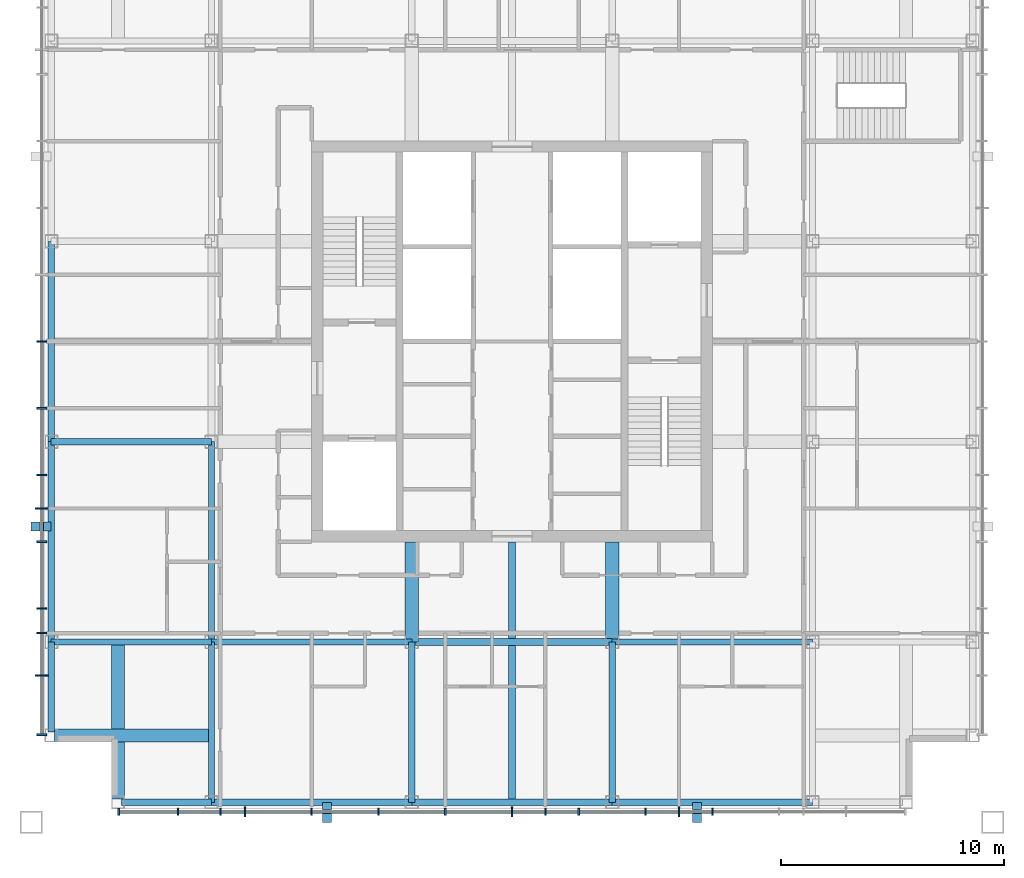
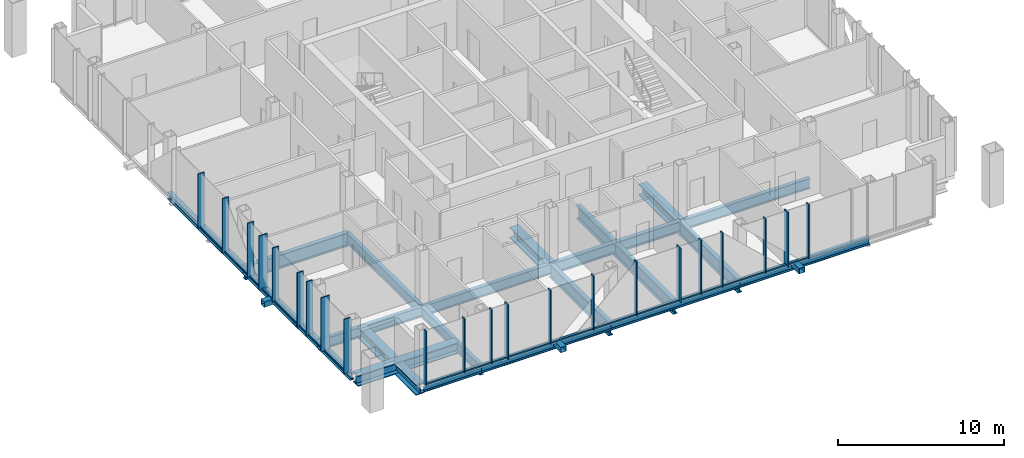
# One storey, part 2 of 12: 45 members, 21 beams, 2 elements without a shape of their own.
"""IFC4 building model written with IfcOpenShell, lengths in metres."""

from ifc_helpers import new_model, si_unit, direction, frame, origin, origin_2d, place, context, subcontext, project, spatial, rectangle, hollow_rectangle, i_section, extrude, material, layer, layer_set, material_profile, profile_set, type_object, element, aggregate, save


model = new_model("IFC4")

# Units and contexts
model_context = context("Model", 3, precision=1e-05, world=origin(), true_north=direction((0.0, 1.0)))
body_context = subcontext(model_context, "Body", "Model", "MODEL_VIEW")
ifc_project = project(units=[si_unit("LENGTHUNIT", "METRE"), si_unit("AREAUNIT", "SQUARE_METRE"), si_unit("VOLUMEUNIT", "CUBIC_METRE"), si_unit("PLANEANGLEUNIT", "RADIAN"), si_unit("MASSUNIT", "GRAM", prefix="KILO")], contexts=[model_context])

# Site, building, storey
site_placement = place(None, origin())
site = spatial("IfcSite", under=ifc_project, at=site_placement, CompositionType="ELEMENT")
building_placement = place(site_placement, origin())
building = spatial("IfcBuilding", under=site, at=building_placement, Name="Malebo Sky Hospital", CompositionType="ELEMENT")
storey_placement = place(building_placement, frame((0.0, 0.0, 262.0)))
storey = spatial("IfcBuildingStorey", under=building, at=storey_placement, Name="L63", CompositionType="ELEMENT", Elevation=262.0)

# Curtain wall, members
ifc_material_1 = material(Name="Anodised aluminium, natural silver", Category="aluminium")
ifc_layer_1 = layer(ifc_material_1, 0.25)
ifc_layer_set_1 = layer_set([ifc_layer_1], Name="WARD CURTAIN WALL EAST AND WEST")
curtain_wall_type_1 = type_object("IfcCurtainWallType", Name="WARD CURTAIN WALL EAST AND WEST", PredefinedType="NOTDEFINED", material=ifc_layer_set_1)
curtain_wall_1_placement = place(storey_placement, origin())
curtain_wall_1 = element("IfcCurtainWall", 1, at=curtain_wall_1_placement, inside=storey, type_object=curtain_wall_type_1, Name="EW curtain wall W", PredefinedType="NOTDEFINED")
ifc_material_profile_1 = material_profile(ifc_material_1, rectangle(XDim=0.14990234375, YDim=0.10009765625, at=origin_2d()), Name="ALUMINIUM TRANSOM 150x100")
ifc_profile_set_1 = profile_set([ifc_material_profile_1], Name="Anodised aluminium, natural silver")
member_type_1 = type_object("IfcMemberType", Name="ALUMINIUM TRANSOM 150x100", PredefinedType="USERDEFINED", material=ifc_profile_set_1)
member_1_placement = place(storey_placement, frame((38.875, 44.375, 0.050048828125), z_axis=(0.0, 1.0, 0.0), x_axis=(-1.0, 0.0, 0.0)))
member_1 = element("IfcMember", 2, at=member_1_placement, type_object=member_type_1, Name="Transom 1", ObjectType="TRANSOM", PredefinedType="USERDEFINED", context=body_context, shape_type="SweptSolid", body=[
    extrude(rectangle(XDim=0.14990234375, YDim=0.10009765625, at=origin_2d()), origin(), (0.0, 0.0, 1.0), 2.58740234375),
])
member_2_placement = place(storey_placement, frame((38.875, 47.03759765625, 0.050048828125), z_axis=(0.0, 1.0, 0.0), x_axis=(-1.0, 0.0, 0.0)))
member_2 = element("IfcMember", 3, at=member_2_placement, type_object=member_type_1, Name="Transom 2", ObjectType="TRANSOM", PredefinedType="USERDEFINED", context=body_context, shape_type="SweptSolid", body=[
    extrude(rectangle(XDim=0.14990234375, YDim=0.10009765625, at=origin_2d()), origin(), (0.0, 0.0, 1.0), 1.824951171875),
])
member_3_placement = place(storey_placement, frame((38.875, 48.9375, 0.050048828125), z_axis=(0.0, 1.0, 0.0), x_axis=(-1.0, 0.0, 0.0)))
member_3 = element("IfcMember", 4, at=member_3_placement, type_object=member_type_1, Name="Transom 3", ObjectType="TRANSOM", PredefinedType="USERDEFINED", context=body_context, shape_type="SweptSolid", body=[
    extrude(rectangle(XDim=0.14990234375, YDim=0.10009765625, at=origin_2d()), origin(), (0.0, 0.0, 1.0), 1.02490234375),
])
member_4_placement = place(storey_placement, frame((38.875, 50.03759765625, 0.050048828125), z_axis=(0.0, 1.0, 0.0), x_axis=(-1.0, 0.0, 0.0)))
member_4 = element("IfcMember", 5, at=member_4_placement, type_object=member_type_1, Name="Transom 4", ObjectType="TRANSOM", PredefinedType="USERDEFINED", context=body_context, shape_type="SweptSolid", body=[
    extrude(rectangle(XDim=0.14990234375, YDim=0.10009765625, at=origin_2d()), origin(), (0.0, 0.0, 1.0), 2.9248046875),
])
member_5_placement = place(storey_placement, frame((38.875, 53.03759765625, 0.050048828125), z_axis=(0.0, 1.0, 0.0), x_axis=(-1.0, 0.0, 0.0)))
member_5 = element("IfcMember", 6, at=member_5_placement, type_object=member_type_1, Name="Transom 5", ObjectType="TRANSOM", PredefinedType="USERDEFINED", context=body_context, shape_type="SweptSolid", body=[
    extrude(rectangle(XDim=0.14990234375, YDim=0.10009765625, at=origin_2d()), origin(), (0.0, 0.0, 1.0), 1.4248046875),
])
member_6_placement = place(storey_placement, frame((38.875, 54.53759765625, 0.050048828125), z_axis=(0.0, 1.0, 0.0), x_axis=(-1.0, 0.0, 0.0)))
member_6 = element("IfcMember", 7, at=member_6_placement, type_object=member_type_1, Name="Transom 6", ObjectType="TRANSOM", PredefinedType="USERDEFINED", context=body_context, shape_type="SweptSolid", body=[
    extrude(rectangle(XDim=0.14990234375, YDim=0.10009765625, at=origin_2d()), origin(), (0.0, 0.0, 1.0), 1.4248046875),
])
member_7_placement = place(storey_placement, frame((38.875, 56.03759765625, 0.050048828125), z_axis=(0.0, 1.0, 0.0), x_axis=(-1.0, 0.0, 0.0)))
member_7 = element("IfcMember", 8, at=member_7_placement, type_object=member_type_1, Name="Transom 7", ObjectType="TRANSOM", PredefinedType="USERDEFINED", context=body_context, shape_type="SweptSolid", body=[
    extrude(rectangle(XDim=0.14990234375, YDim=0.10009765625, at=origin_2d()), origin(), (0.0, 0.0, 1.0), 2.9248046875),
])
member_8_placement = place(storey_placement, frame((38.875, 59.03759765625, 0.050048828125), z_axis=(0.0, 1.0, 0.0), x_axis=(-1.0, 0.0, 0.0)))
member_8 = element("IfcMember", 9, at=member_8_placement, type_object=member_type_1, Name="Transom 8", ObjectType="TRANSOM", PredefinedType="USERDEFINED", context=body_context, shape_type="SweptSolid", body=[
    extrude(rectangle(XDim=0.14990234375, YDim=0.10009765625, at=origin_2d()), origin(), (0.0, 0.0, 1.0), 2.9248046875),
])

ifc_layer_2 = layer(ifc_material_1, 0.25)
ifc_layer_set_2 = layer_set([ifc_layer_2], Name="WARD CURTAIN WALL NORTH AND SOUTH")
curtain_wall_type_2 = type_object("IfcCurtainWallType", Name="WARD CURTAIN WALL NORTH AND SOUTH", PredefinedType="NOTDEFINED", material=ifc_layer_set_2)
curtain_wall_2_placement = place(storey_placement, origin())
curtain_wall_2 = element("IfcCurtainWall", 10, at=curtain_wall_2_placement, inside=storey, type_object=curtain_wall_type_2, Name="NS curtain wall S", PredefinedType="NOTDEFINED")
member_9_placement = place(storey_placement, frame((68.96240234375, 40.875, 0.050048828125), z_axis=(-1.0, 0.0, 0.0), x_axis=(0.0, -1.0, 0.0)))
member_9 = element("IfcMember", 11, at=member_9_placement, type_object=member_type_1, Name="Transom 5", ObjectType="TRANSOM", PredefinedType="USERDEFINED", context=body_context, shape_type="SweptSolid", body=[
    extrude(rectangle(XDim=0.14990234375, YDim=0.10009765625, at=origin_2d()), origin(), (0.0, 0.0, 1.0), 1.4248046875),
])
member_10_placement = place(storey_placement, frame((67.46240234375, 40.875, 0.050048828125), z_axis=(-1.0, 0.0, 0.0), x_axis=(0.0, -1.0, 0.0)))
member_10 = element("IfcMember", 12, at=member_10_placement, type_object=member_type_1, Name="Transom 6", ObjectType="TRANSOM", PredefinedType="USERDEFINED", context=body_context, shape_type="SweptSolid", body=[
    extrude(rectangle(XDim=0.14990234375, YDim=0.10009765625, at=origin_2d()), origin(), (0.0, 0.0, 1.0), 1.4248046875),
])
member_11_placement = place(storey_placement, frame((65.96240234375, 40.875, 0.050048828125), z_axis=(-1.0, 0.0, 0.0), x_axis=(0.0, -1.0, 0.0)))
member_11 = element("IfcMember", 13, at=member_11_placement, type_object=member_type_1, Name="Transom 7", ObjectType="TRANSOM", PredefinedType="USERDEFINED", context=body_context, shape_type="SweptSolid", body=[
    extrude(rectangle(XDim=0.14990234375, YDim=0.10009765625, at=origin_2d()), origin(), (0.0, 0.0, 1.0), 2.9248046875),
])
member_12_placement = place(storey_placement, frame((62.96240234375, 40.875, 0.050048828125), z_axis=(-1.0, 0.0, 0.0), x_axis=(0.0, -1.0, 0.0)))
member_12 = element("IfcMember", 14, at=member_12_placement, type_object=member_type_1, Name="Transom 8", ObjectType="TRANSOM", PredefinedType="USERDEFINED", context=body_context, shape_type="SweptSolid", body=[
    extrude(rectangle(XDim=0.14990234375, YDim=0.10009765625, at=origin_2d()), origin(), (0.0, 0.0, 1.0), 1.4248046875),
])
member_13_placement = place(storey_placement, frame((61.46240234375, 40.875, 0.050048828125), z_axis=(-1.0, 0.0, 0.0), x_axis=(0.0, -1.0, 0.0)))
member_13 = element("IfcMember", 15, at=member_13_placement, type_object=member_type_1, Name="Transom 9", ObjectType="TRANSOM", PredefinedType="USERDEFINED", context=body_context, shape_type="SweptSolid", body=[
    extrude(rectangle(XDim=0.14990234375, YDim=0.10009765625, at=origin_2d()), origin(), (0.0, 0.0, 1.0), 1.4248046875),
])
member_14_placement = place(storey_placement, frame((59.96240234375, 40.875, 0.050048828125), z_axis=(-1.0, 0.0, 0.0), x_axis=(0.0, -1.0, 0.0)))
member_14 = element("IfcMember", 16, at=member_14_placement, type_object=member_type_1, Name="Transom 10", ObjectType="TRANSOM", PredefinedType="USERDEFINED", context=body_context, shape_type="SweptSolid", body=[
    extrude(rectangle(XDim=0.14990234375, YDim=0.10009765625, at=origin_2d()), origin(), (0.0, 0.0, 1.0), 2.9248046875),
])
member_15_placement = place(storey_placement, frame((56.96240234375, 40.875, 0.050048828125), z_axis=(-1.0, 0.0, 0.0), x_axis=(0.0, -1.0, 0.0)))
member_15 = element("IfcMember", 17, at=member_15_placement, type_object=member_type_1, Name="Transom 11", ObjectType="TRANSOM", PredefinedType="USERDEFINED", context=body_context, shape_type="SweptSolid", body=[
    extrude(rectangle(XDim=0.14990234375, YDim=0.10009765625, at=origin_2d()), origin(), (0.0, 0.0, 1.0), 2.9248046875),
])
member_16_placement = place(storey_placement, frame((53.96240234375, 40.875, 0.050048828125), z_axis=(-1.0, 0.0, 0.0), x_axis=(0.0, -1.0, 0.0)))
member_16 = element("IfcMember", 18, at=member_16_placement, type_object=member_type_1, Name="Transom 12", ObjectType="TRANSOM", PredefinedType="USERDEFINED", context=body_context, shape_type="SweptSolid", body=[
    extrude(rectangle(XDim=0.14990234375, YDim=0.10009765625, at=origin_2d()), origin(), (0.0, 0.0, 1.0), 2.9248046875),
])
member_17_placement = place(storey_placement, frame((50.96240234375, 40.875, 0.050048828125), z_axis=(-1.0, 0.0, 0.0), x_axis=(0.0, -1.0, 0.0)))
member_17 = element("IfcMember", 19, at=member_17_placement, type_object=member_type_1, Name="Transom 13", ObjectType="TRANSOM", PredefinedType="USERDEFINED", context=body_context, shape_type="SweptSolid", body=[
    extrude(rectangle(XDim=0.14990234375, YDim=0.10009765625, at=origin_2d()), origin(), (0.0, 0.0, 1.0), 2.9248046875),
])
member_18_placement = place(storey_placement, frame((47.96240234375, 40.875, 0.050048828125), z_axis=(-1.0, 0.0, 0.0), x_axis=(0.0, -1.0, 0.0)))
member_18 = element("IfcMember", 20, at=member_18_placement, type_object=member_type_1, Name="Transom 14", ObjectType="TRANSOM", PredefinedType="USERDEFINED", context=body_context, shape_type="SweptSolid", body=[
    extrude(rectangle(XDim=0.14990234375, YDim=0.10009765625, at=origin_2d()), origin(), (0.0, 0.0, 1.0), 1.02490234375),
])
member_19_placement = place(storey_placement, frame((46.862548828125, 40.875, 0.050048828125), z_axis=(-1.0, 0.0, 0.0), x_axis=(0.0, -1.0, 0.0)))
member_19 = element("IfcMember", 21, at=member_19_placement, type_object=member_type_1, Name="Transom 15", ObjectType="TRANSOM", PredefinedType="USERDEFINED", context=body_context, shape_type="SweptSolid", body=[
    extrude(rectangle(XDim=0.14990234375, YDim=0.10009765625, at=origin_2d()), origin(), (0.0, 0.0, 1.0), 1.824951171875),
])
member_20_placement = place(storey_placement, frame((44.96240234375, 40.875, 0.050048828125), z_axis=(-1.0, 0.0, 0.0), x_axis=(0.0, -1.0, 0.0)))
member_20 = element("IfcMember", 22, at=member_20_placement, type_object=member_type_1, Name="Transom 16", ObjectType="TRANSOM", PredefinedType="USERDEFINED", context=body_context, shape_type="SweptSolid", body=[
    extrude(rectangle(XDim=0.14990234375, YDim=0.10009765625, at=origin_2d()), origin(), (0.0, 0.0, 1.0), 2.58740234375),
])

# Members
ifc_material_2 = material(Name="Steel S355", Category="steel")
ifc_material_profile_2 = material_profile(ifc_material_2, hollow_rectangle(XDim=0.39990234375, YDim=0.39990234375, WallThickness=0.02001953125, at=origin_2d()), Name="SHS 400x20")
ifc_profile_set_2 = profile_set([ifc_material_profile_2], Name="Steel S355")
member_type_2 = type_object("IfcMemberType", Name="BRACE STRUT SHS 400x20", PredefinedType="STRUT", material=ifc_profile_set_2)
for number, where, z_axis, x_axis, name in (
    (23, (51.696533203125, 40.39990234375, -0.39990234375), (0.0, 1.0, 0.0), (-1.0, 0.0, 0.0), "Brace strut DS1 L63"),
    (24, (68.303466796875, 40.39990234375, -0.39990234375), (0.0, 1.0, 0.0), (-1.0, 0.0, 0.0), "Brace strut DS2 L63"),
    (25, (38.39990234375, 53.696533203125, -0.39990234375), (1.0, 0.0, 0.0), (0.0, 1.0, 0.0), "Brace strut DW2 L63"),
):
    element("IfcMember", number, at=place(storey_placement, frame(where, z_axis=z_axis, x_axis=x_axis)), inside=storey, type_object=member_type_2, Name=name, PredefinedType="STRUT", context=body_context, shape_type="SweptSolid", body=[
        extrude(hollow_rectangle(XDim=0.39990234375, YDim=0.39990234375, WallThickness=0.02001953125, at=origin_2d()), origin(), (0.0, 0.0, 1.0), 0.900146484375),
    ])

# Member
ifc_material_profile_3 = material_profile(ifc_material_1, rectangle(XDim=0.074951171875, YDim=0.300048828125, at=origin_2d()), Name="CW1 ALUMINIUM FIN MULLION 75x300")
ifc_profile_set_3 = profile_set([ifc_material_profile_3], Name="Anodised aluminium, natural silver")
member_type_3 = type_object("IfcMemberType", Name="CW1 ALUMINIUM FIN MULLION 75x300", PredefinedType="MULLION", material=ifc_profile_set_3)
member_21_placement = place(storey_placement, frame((69.0, 40.875, 0.0), z_axis=(0.0, 0.0, 1.0), x_axis=(-1.0, 0.0, 0.0)))
member_21 = element("IfcMember", 26, at=member_21_placement, type_object=member_type_3, Name="Fin mullion 5", PredefinedType="MULLION", context=body_context, shape_type="SweptSolid", body=[
    extrude(rectangle(XDim=0.074951171875, YDim=0.300048828125, at=origin_2d()), origin(), (0.0, 0.0, 1.0), 4.0),
])

member_22_placement = place(storey_placement, frame((66.0, 40.875, 0.0), z_axis=(0.0, 0.0, 1.0), x_axis=(-1.0, 0.0, 0.0)))
member_22 = element("IfcMember", 27, at=member_22_placement, type_object=member_type_3, Name="Fin mullion 7", PredefinedType="MULLION", context=body_context, shape_type="SweptSolid", body=[
    extrude(rectangle(XDim=0.074951171875, YDim=0.300048828125, at=origin_2d()), origin(), (0.0, 0.0, 1.0), 4.0),
])

member_23_placement = place(storey_placement, frame((63.0, 40.875, 0.0), z_axis=(0.0, 0.0, 1.0), x_axis=(-1.0, 0.0, 0.0)))
member_23 = element("IfcMember", 28, at=member_23_placement, type_object=member_type_3, Name="Fin mullion 8", PredefinedType="MULLION", context=body_context, shape_type="SweptSolid", body=[
    extrude(rectangle(XDim=0.074951171875, YDim=0.300048828125, at=origin_2d()), origin(), (0.0, 0.0, 1.0), 4.0),
])

member_24_placement = place(storey_placement, frame((61.5, 40.875, 0.0), z_axis=(0.0, 0.0, 1.0), x_axis=(-1.0, 0.0, 0.0)))
member_24 = element("IfcMember", 29, at=member_24_placement, type_object=member_type_3, Name="Fin mullion 9", PredefinedType="MULLION", context=body_context, shape_type="SweptSolid", body=[
    extrude(rectangle(XDim=0.074951171875, YDim=0.300048828125, at=origin_2d()), origin(), (0.0, 0.0, 1.0), 4.0),
])

member_25_placement = place(storey_placement, frame((57.0, 40.875, 0.0), z_axis=(0.0, 0.0, 1.0), x_axis=(-1.0, 0.0, 0.0)))
member_25 = element("IfcMember", 30, at=member_25_placement, type_object=member_type_3, Name="Fin mullion 11", PredefinedType="MULLION", context=body_context, shape_type="SweptSolid", body=[
    extrude(rectangle(XDim=0.074951171875, YDim=0.300048828125, at=origin_2d()), origin(), (0.0, 0.0, 1.0), 4.0),
])

member_26_placement = place(storey_placement, frame((54.0, 40.875, 0.0), z_axis=(0.0, 0.0, 1.0), x_axis=(-1.0, 0.0, 0.0)))
member_26 = element("IfcMember", 31, at=member_26_placement, type_object=member_type_3, Name="Fin mullion 12", PredefinedType="MULLION", context=body_context, shape_type="SweptSolid", body=[
    extrude(rectangle(XDim=0.074951171875, YDim=0.300048828125, at=origin_2d()), origin(), (0.0, 0.0, 1.0), 4.0),
])

member_27_placement = place(storey_placement, frame((51.0, 40.875, 0.0), z_axis=(0.0, 0.0, 1.0), x_axis=(-1.0, 0.0, 0.0)))
member_27 = element("IfcMember", 32, at=member_27_placement, type_object=member_type_3, Name="Fin mullion 13", PredefinedType="MULLION", context=body_context, shape_type="SweptSolid", body=[
    extrude(rectangle(XDim=0.074951171875, YDim=0.300048828125, at=origin_2d()), origin(), (0.0, 0.0, 1.0), 4.0),
])

member_28_placement = place(storey_placement, frame((46.89990234375, 40.875, 0.0), z_axis=(0.0, 0.0, 1.0), x_axis=(-1.0, 0.0, 0.0)))
member_28 = element("IfcMember", 33, at=member_28_placement, type_object=member_type_3, Name="Fin mullion 15", PredefinedType="MULLION", context=body_context, shape_type="SweptSolid", body=[
    extrude(rectangle(XDim=0.074951171875, YDim=0.300048828125, at=origin_2d()), origin(), (0.0, 0.0, 1.0), 4.0),
])

member_29_placement = place(storey_placement, frame((45.0, 40.875, 0.0), z_axis=(0.0, 0.0, 1.0), x_axis=(-1.0, 0.0, 0.0)))
member_29 = element("IfcMember", 34, at=member_29_placement, type_object=member_type_3, Name="Fin mullion 16", PredefinedType="MULLION", context=body_context, shape_type="SweptSolid", body=[
    extrude(rectangle(XDim=0.074951171875, YDim=0.300048828125, at=origin_2d()), origin(), (0.0, 0.0, 1.0), 4.0),
])

member_30_placement = place(storey_placement, frame((42.33740234375, 40.875, 0.0), z_axis=(0.0, 0.0, 1.0), x_axis=(-1.0, 0.0, 0.0)))
member_30 = element("IfcMember", 35, at=member_30_placement, type_object=member_type_3, Name="Fin mullion 17", PredefinedType="MULLION", context=body_context, shape_type="SweptSolid", body=[
    extrude(rectangle(XDim=0.074951171875, YDim=0.300048828125, at=origin_2d()), origin(), (0.0, 0.0, 1.0), 4.0),
])

ifc_material_profile_4 = material_profile(ifc_material_1, rectangle(XDim=0.074951171875, YDim=0.449951171875, at=origin_2d()), Name="CW1 ALUMINIUM FIN MULLION 75x450")
ifc_profile_set_4 = profile_set([ifc_material_profile_4], Name="Anodised aluminium, natural silver")
member_type_4 = type_object("IfcMemberType", Name="CW1 ALUMINIUM FIN MULLION 75x450", PredefinedType="MULLION", material=ifc_profile_set_4)
member_31_placement = place(storey_placement, frame((67.5, 40.875, 0.0), z_axis=(0.0, 0.0, 1.0), x_axis=(-1.0, 0.0, 0.0)))
member_31 = element("IfcMember", 36, at=member_31_placement, type_object=member_type_4, Name="Fin mullion 6", PredefinedType="MULLION", context=body_context, shape_type="SweptSolid", body=[
    extrude(rectangle(XDim=0.074951171875, YDim=0.449951171875, at=origin_2d()), origin(), (0.0, 0.0, 1.0), 4.0),
])

member_32_placement = place(storey_placement, frame((60.0, 40.875, 0.0), z_axis=(0.0, 0.0, 1.0), x_axis=(-1.0, 0.0, 0.0)))
member_32 = element("IfcMember", 37, at=member_32_placement, type_object=member_type_4, Name="Fin mullion 10", PredefinedType="MULLION", context=body_context, shape_type="SweptSolid", body=[
    extrude(rectangle(XDim=0.074951171875, YDim=0.449951171875, at=origin_2d()), origin(), (0.0, 0.0, 1.0), 4.0),
])

member_33_placement = place(storey_placement, frame((48.0, 40.875, 0.0), z_axis=(0.0, 0.0, 1.0), x_axis=(-1.0, 0.0, 0.0)))
member_33 = element("IfcMember", 38, at=member_33_placement, type_object=member_type_4, Name="Fin mullion 14", PredefinedType="MULLION", context=body_context, shape_type="SweptSolid", body=[
    extrude(rectangle(XDim=0.074951171875, YDim=0.449951171875, at=origin_2d()), origin(), (0.0, 0.0, 1.0), 4.0),
])

aggregate(curtain_wall_2, [member_21, member_31, member_22, member_23, member_24, member_32, member_25, member_26, member_27, member_33, member_28, member_29, member_30, member_9, member_10, member_11, member_12, member_13, member_14, member_15, member_16, member_17, member_18, member_19, member_20])

ifc_material_profile_5 = material_profile(ifc_material_1, rectangle(XDim=0.074951171875, YDim=0.449951171875, at=origin_2d()), Name="CW2 ALUMINIUM FIN MULLION 75x450")
ifc_profile_set_5 = profile_set([ifc_material_profile_5], Name="Anodised aluminium, natural silver")
member_type_5 = type_object("IfcMemberType", Name="CW2 ALUMINIUM FIN MULLION 75x450", PredefinedType="MULLION", material=ifc_profile_set_5)
member_34_placement = place(storey_placement, frame((38.875, 44.33740234375, 0.0), z_axis=(0.0, 0.0, 1.0), x_axis=(0.0, 1.0, 0.0)))
member_34 = element("IfcMember", 39, at=member_34_placement, type_object=member_type_5, Name="Fin mullion 1", PredefinedType="MULLION", context=body_context, shape_type="SweptSolid", body=[
    extrude(rectangle(XDim=0.074951171875, YDim=0.449951171875, at=origin_2d()), origin(), (0.0, 0.0, 1.0), 4.0),
])

member_35_placement = place(storey_placement, frame((38.875, 48.89990234375, 0.0), z_axis=(0.0, 0.0, 1.0), x_axis=(0.0, 1.0, 0.0)))
member_35 = element("IfcMember", 40, at=member_35_placement, type_object=member_type_5, Name="Fin mullion 3", PredefinedType="MULLION", context=body_context, shape_type="SweptSolid", body=[
    extrude(rectangle(XDim=0.074951171875, YDim=0.449951171875, at=origin_2d()), origin(), (0.0, 0.0, 1.0), 4.0),
])

member_36_placement = place(storey_placement, frame((38.875, 50.0, 0.0), z_axis=(0.0, 0.0, 1.0), x_axis=(0.0, 1.0, 0.0)))
member_36 = element("IfcMember", 41, at=member_36_placement, type_object=member_type_5, Name="Fin mullion 4", PredefinedType="MULLION", context=body_context, shape_type="SweptSolid", body=[
    extrude(rectangle(XDim=0.074951171875, YDim=0.449951171875, at=origin_2d()), origin(), (0.0, 0.0, 1.0), 4.0),
])

member_37_placement = place(storey_placement, frame((38.875, 53.0, 0.0), z_axis=(0.0, 0.0, 1.0), x_axis=(0.0, 1.0, 0.0)))
member_37 = element("IfcMember", 42, at=member_37_placement, type_object=member_type_5, Name="Fin mullion 5", PredefinedType="MULLION", context=body_context, shape_type="SweptSolid", body=[
    extrude(rectangle(XDim=0.074951171875, YDim=0.449951171875, at=origin_2d()), origin(), (0.0, 0.0, 1.0), 4.0),
])

member_38_placement = place(storey_placement, frame((38.875, 56.0, 0.0), z_axis=(0.0, 0.0, 1.0), x_axis=(0.0, 1.0, 0.0)))
member_38 = element("IfcMember", 43, at=member_38_placement, type_object=member_type_5, Name="Fin mullion 7", PredefinedType="MULLION", context=body_context, shape_type="SweptSolid", body=[
    extrude(rectangle(XDim=0.074951171875, YDim=0.449951171875, at=origin_2d()), origin(), (0.0, 0.0, 1.0), 4.0),
])

member_39_placement = place(storey_placement, frame((38.875, 59.0, 0.0), z_axis=(0.0, 0.0, 1.0), x_axis=(0.0, 1.0, 0.0)))
member_39 = element("IfcMember", 44, at=member_39_placement, type_object=member_type_5, Name="Fin mullion 8", PredefinedType="MULLION", context=body_context, shape_type="SweptSolid", body=[
    extrude(rectangle(XDim=0.074951171875, YDim=0.449951171875, at=origin_2d()), origin(), (0.0, 0.0, 1.0), 4.0),
])

member_40_placement = place(storey_placement, frame((38.875, 62.0, 0.0), z_axis=(0.0, 0.0, 1.0), x_axis=(0.0, 1.0, 0.0)))
member_40 = element("IfcMember", 45, at=member_40_placement, type_object=member_type_5, Name="Fin mullion 9", PredefinedType="MULLION", context=body_context, shape_type="SweptSolid", body=[
    extrude(rectangle(XDim=0.074951171875, YDim=0.449951171875, at=origin_2d()), origin(), (0.0, 0.0, 1.0), 4.0),
])

ifc_material_profile_6 = material_profile(ifc_material_1, rectangle(XDim=0.074951171875, YDim=0.60009765625, at=origin_2d()), Name="CW2 ALUMINIUM FIN MULLION 75x600")
ifc_profile_set_6 = profile_set([ifc_material_profile_6], Name="Anodised aluminium, natural silver")
member_type_6 = type_object("IfcMemberType", Name="CW2 ALUMINIUM FIN MULLION 75x600", PredefinedType="MULLION", material=ifc_profile_set_6)
member_41_placement = place(storey_placement, frame((38.875, 47.0, 0.0), z_axis=(0.0, 0.0, 1.0), x_axis=(0.0, 1.0, 0.0)))
member_41 = element("IfcMember", 46, at=member_41_placement, type_object=member_type_6, Name="Fin mullion 2", PredefinedType="MULLION", context=body_context, shape_type="SweptSolid", body=[
    extrude(rectangle(XDim=0.074951171875, YDim=0.60009765625, at=origin_2d()), origin(), (0.0, 0.0, 1.0), 4.0),
])

member_42_placement = place(storey_placement, frame((38.875, 54.5, 0.0), z_axis=(0.0, 0.0, 1.0), x_axis=(0.0, 1.0, 0.0)))
member_42 = element("IfcMember", 47, at=member_42_placement, type_object=member_type_6, Name="Fin mullion 6", PredefinedType="MULLION", context=body_context, shape_type="SweptSolid", body=[
    extrude(rectangle(XDim=0.074951171875, YDim=0.60009765625, at=origin_2d()), origin(), (0.0, 0.0, 1.0), 4.0),
])

aggregate(curtain_wall_1, [member_34, member_41, member_35, member_36, member_37, member_42, member_38, member_39, member_40, member_1, member_2, member_3, member_4, member_5, member_6, member_7, member_8])

# Beams
ifc_material_profile_7 = material_profile(ifc_material_2, i_section(OverallWidth=0.305908203125, OverallDepth=0.52392578125, WebThickness=0.02099609375, FlangeThickness=0.0400390625, FilletRadius=0.027099609375, at=origin_2d()), Name="HEM 500")
ifc_profile_set_7 = profile_set([ifc_material_profile_7], Name="Steel S355")
beam_type_1 = type_object("IfcBeamType", Name="EDGE BEAM HEM 500", PredefinedType="BEAM", material=ifc_profile_set_7)
beam_1_placement = place(storey_placement, frame((39.300048828125, 44.449951171875, -0.511962890625), z_axis=(0.0, 1.0, 0.0), x_axis=(-1.0, 0.0, 0.0)))
element("IfcBeam", 48, at=beam_1_placement, inside=storey, type_object=beam_type_1, Name="Beam 000 L63", PredefinedType="BEAM", context=body_context, shape_type="SweptSolid", body=[
    extrude(i_section(OverallWidth=0.305908203125, OverallDepth=0.52392578125, WebThickness=0.02099609375, FlangeThickness=0.0400390625, FilletRadius=0.027099609375, at=origin_2d()), origin(), (0.0, 0.0, 1.0), 4.050048828125),
])
for number, where, z_axis, x_axis, name in (
    (49, (39.300048828125, 48.5, -0.511962890625), (0.0, 1.0, 0.0), (-1.0, 0.0, 0.0), "Beam 001 L63"),
    (50, (39.300048828125, 57.5, -0.511962890625), (0.0, 1.0, 0.0), (-1.0, 0.0, 0.0), "Beam 002 L63"),
):
    element("IfcBeam", number, at=place(storey_placement, frame(where, z_axis=z_axis, x_axis=x_axis)), inside=storey, type_object=beam_type_1, Name=name, PredefinedType="BEAM", context=body_context, shape_type="SweptSolid", body=[
        extrude(i_section(OverallWidth=0.305908203125, OverallDepth=0.52392578125, WebThickness=0.02099609375, FlangeThickness=0.0400390625, FilletRadius=0.027099609375, at=origin_2d()), origin(), (0.0, 0.0, 1.0), 9.0),
    ])
beam_2_placement = place(storey_placement, frame((42.449951171875, 41.300048828125, -0.511962890625), z_axis=(1.0, 0.0, 0.0), x_axis=(0.0, 1.0, 0.0)))
element("IfcBeam", 51, at=beam_2_placement, inside=storey, type_object=beam_type_1, Name="Beam 034 L63", PredefinedType="BEAM", context=body_context, shape_type="SweptSolid", body=[
    extrude(i_section(OverallWidth=0.305908203125, OverallDepth=0.52392578125, WebThickness=0.02099609375, FlangeThickness=0.0400390625, FilletRadius=0.027099609375, at=origin_2d()), origin(), (0.0, 0.0, 1.0), 4.050048828125),
])
for number, where, z_axis, x_axis, name in (
    (52, (46.5, 41.300048828125, -0.511962890625), (1.0, 0.0, 0.0), (0.0, 1.0, 0.0), "Beam 035 L63"),
    (53, (55.5, 41.300048828125, -0.511962890625), (1.0, 0.0, 0.0), (0.0, 1.0, 0.0), "Beam 036 L63"),
    (54, (64.5, 41.300048828125, -0.511962890625), (1.0, 0.0, 0.0), (0.0, 1.0, 0.0), "Beam 037 L63"),
):
    element("IfcBeam", number, at=place(storey_placement, frame(where, z_axis=z_axis, x_axis=x_axis)), inside=storey, type_object=beam_type_1, Name=name, PredefinedType="BEAM", context=body_context, shape_type="SweptSolid", body=[
        extrude(i_section(OverallWidth=0.305908203125, OverallDepth=0.52392578125, WebThickness=0.02099609375, FlangeThickness=0.0400390625, FilletRadius=0.027099609375, at=origin_2d()), origin(), (0.0, 0.0, 1.0), 9.0),
    ])
ifc_material_profile_8 = material_profile(ifc_material_2, i_section(OverallWidth=0.300048828125, OverallDepth=1.0, WebThickness=0.01904296875, FlangeThickness=0.035888671875, FilletRadius=0.030029296875, at=origin_2d()), Name="HEB 1000")
ifc_profile_set_8 = profile_set([ifc_material_profile_8], Name="Steel S355")
beam_type_2 = type_object("IfcBeamType", Name="FLOOR BEAM HEB 1000", PredefinedType="BEAM", material=ifc_profile_set_8)
beam_3_placement = place(storey_placement, frame((55.5, 41.300048828125, -0.75), z_axis=(0.0, 1.0, 0.0), x_axis=(-1.0, 0.0, 0.0)))
element("IfcBeam", 55, at=beam_3_placement, inside=storey, type_object=beam_type_2, Name="Beam 012 L63", PredefinedType="BEAM", context=body_context, shape_type="SweptSolid", body=[
    extrude(i_section(OverallWidth=0.300048828125, OverallDepth=1.0, WebThickness=0.01904296875, FlangeThickness=0.035888671875, FilletRadius=0.030029296875, at=origin_2d()), origin(), (0.0, 0.0, 1.0), 7.199951171875),
])
beam_4_placement = place(storey_placement, frame((60.0, 41.300048828125, -0.75), z_axis=(0.0, 1.0, 0.0), x_axis=(-1.0, 0.0, 0.0)))
element("IfcBeam", 56, at=beam_4_placement, inside=storey, type_object=beam_type_2, Name="Beam 016 L63", PredefinedType="BEAM", context=body_context, shape_type="SweptSolid", body=[
    extrude(i_section(OverallWidth=0.300048828125, OverallDepth=1.0, WebThickness=0.01904296875, FlangeThickness=0.035888671875, FilletRadius=0.030029296875, at=origin_2d()), origin(), (0.0, 0.0, 1.0), 11.699951171875),
])
for number, where, z_axis, x_axis, name in (
    (57, (64.5, 41.300048828125, -0.75), (0.0, 1.0, 0.0), (-1.0, 0.0, 0.0), "Beam 018 L63"),
    (58, (39.300048828125, 57.5, -0.75), (1.0, 0.0, 0.0), (0.0, 1.0, 0.0), "Beam 046 L63"),
):
    element("IfcBeam", number, at=place(storey_placement, frame(where, z_axis=z_axis, x_axis=x_axis)), inside=storey, type_object=beam_type_2, Name=name, PredefinedType="BEAM", context=body_context, shape_type="SweptSolid", body=[
        extrude(i_section(OverallWidth=0.300048828125, OverallDepth=1.0, WebThickness=0.01904296875, FlangeThickness=0.035888671875, FilletRadius=0.030029296875, at=origin_2d()), origin(), (0.0, 0.0, 1.0), 7.199951171875),
    ])
ifc_material_profile_9 = material_profile(ifc_material_2, i_section(OverallWidth=0.26708984375, OverallDepth=0.761962890625, WebThickness=0.014404296875, FlangeThickness=0.021484375, FilletRadius=0.01708984375, at=origin_2d()), Name="IPE 750x173")
ifc_profile_set_9 = profile_set([ifc_material_profile_9], Name="Steel S355")
beam_type_3 = type_object("IfcBeamType", Name="FLOOR BEAM IPE 750x173", PredefinedType="BEAM", material=ifc_profile_set_9)
for number, where, z_axis, x_axis, name in (
    (59, (46.5, 48.5, -0.631103515625), (0.0, 1.0, 0.0), (-1.0, 0.0, 0.0), "Beam 008 L63"),
    (60, (46.5, 48.5, -0.631103515625), (1.0, 0.0, 0.0), (0.0, 1.0, 0.0), "Beam 042 L63"),
    (61, (64.5, 48.5, -0.631103515625), (1.0, 0.0, 0.0), (0.0, 1.0, 0.0), "Beam 044 L63"),
):
    element("IfcBeam", number, at=place(storey_placement, frame(where, z_axis=z_axis, x_axis=x_axis)), inside=storey, type_object=beam_type_3, Name=name, PredefinedType="BEAM", context=body_context, shape_type="SweptSolid", body=[
        extrude(i_section(OverallWidth=0.26708984375, OverallDepth=0.761962890625, WebThickness=0.014404296875, FlangeThickness=0.021484375, FilletRadius=0.01708984375, at=origin_2d()), origin(), (0.0, 0.0, 1.0), 9.0),
    ])
ifc_material_profile_10 = material_profile(ifc_material_2, i_section(OverallWidth=0.60009765625, OverallDepth=0.800048828125, WebThickness=0.0400390625, FlangeThickness=0.06005859375, at=origin_2d()), Name="PG 800x600x40x60")
ifc_profile_set_10 = profile_set([ifc_material_profile_10], Name="Steel S355")
beam_type_4 = type_object("IfcBeamType", Name="FLOOR BEAM PG 800x600x40x60", PredefinedType="BEAM", material=ifc_profile_set_10)
beam_5_placement = place(storey_placement, frame((42.300048828125, 41.449951171875, -0.64990234375), z_axis=(0.0, 1.0, 0.0), x_axis=(-1.0, 0.0, 0.0)))
element("IfcBeam", 62, at=beam_5_placement, inside=storey, type_object=beam_type_4, Name="Beam 005 L63", PredefinedType="BEAM", context=body_context, shape_type="SweptSolid", body=[
    extrude(i_section(OverallWidth=0.60009765625, OverallDepth=0.800048828125, WebThickness=0.0400390625, FlangeThickness=0.06005859375, at=origin_2d()), origin(), (0.0, 0.0, 1.0), 7.050048828125),
])
for number, where, z_axis, x_axis, name in (
    (63, (55.5, 48.5, -0.64990234375), (0.0, 1.0, 0.0), (-1.0, 0.0, 0.0), "Beam 013 L63"),
    (64, (64.5, 48.5, -0.64990234375), (0.0, 1.0, 0.0), (-1.0, 0.0, 0.0), "Beam 019 L63"),
):
    element("IfcBeam", number, at=place(storey_placement, frame(where, z_axis=z_axis, x_axis=x_axis)), inside=storey, type_object=beam_type_4, Name=name, PredefinedType="BEAM", context=body_context, shape_type="SweptSolid", body=[
        extrude(i_section(OverallWidth=0.60009765625, OverallDepth=0.800048828125, WebThickness=0.0400390625, FlangeThickness=0.06005859375, at=origin_2d()), origin(), (0.0, 0.0, 1.0), 4.5),
    ])
beam_6_placement = place(storey_placement, frame((39.449951171875, 44.300048828125, -0.64990234375), z_axis=(1.0, 0.0, 0.0), x_axis=(0.0, 1.0, 0.0)))
element("IfcBeam", 65, at=beam_6_placement, inside=storey, type_object=beam_type_4, Name="Beam 039 L63", PredefinedType="BEAM", context=body_context, shape_type="SweptSolid", body=[
    extrude(i_section(OverallWidth=0.60009765625, OverallDepth=0.800048828125, WebThickness=0.0400390625, FlangeThickness=0.06005859375, at=origin_2d()), origin(), (0.0, 0.0, 1.0), 7.050048828125),
])
ifc_material_profile_11 = material_profile(ifc_material_2, i_section(OverallWidth=0.262939453125, OverallDepth=0.7529296875, WebThickness=0.011474609375, FlangeThickness=0.01708984375, FilletRadius=0.01708984375, at=origin_2d()), Name="IPE 750x137")
ifc_profile_set_11 = profile_set([ifc_material_profile_11], Name="Steel S355")
beam_type_5 = type_object("IfcBeamType", Name="FLOOR GIRDER IPE 750x137", PredefinedType="BEAM", material=ifc_profile_set_11)
for number, where, z_axis, x_axis, name in (
    (66, (46.5, 41.300048828125, -0.62646484375), (0.0, 1.0, 0.0), (-1.0, 0.0, 0.0), "Beam 007 L63"),
    (67, (39.300048828125, 48.5, -0.62646484375), (1.0, 0.0, 0.0), (0.0, 1.0, 0.0), "Beam 041 L63"),
):
    element("IfcBeam", number, at=place(storey_placement, frame(where, z_axis=z_axis, x_axis=x_axis)), inside=storey, type_object=beam_type_5, Name=name, PredefinedType="BEAM", context=body_context, shape_type="SweptSolid", body=[
        extrude(i_section(OverallWidth=0.262939453125, OverallDepth=0.7529296875, WebThickness=0.011474609375, FlangeThickness=0.01708984375, FilletRadius=0.01708984375, at=origin_2d()), origin(), (0.0, 0.0, 1.0), 7.199951171875),
    ])
ifc_material_profile_12 = material_profile(ifc_material_2, i_section(OverallWidth=0.300048828125, OverallDepth=0.800048828125, WebThickness=0.017578125, FlangeThickness=0.032958984375, FilletRadius=0.030029296875, at=origin_2d()), Name="HEB 800")
ifc_profile_set_12 = profile_set([ifc_material_profile_12], Name="Steel S355")
beam_type_6 = type_object("IfcBeamType", Name="RING GIRDER HEB 800", PredefinedType="BEAM", material=ifc_profile_set_12)
beam_7_placement = place(storey_placement, frame((55.5, 48.5, -0.64990234375), z_axis=(1.0, 0.0, 0.0), x_axis=(0.0, 1.0, 0.0)))
element("IfcBeam", 68, at=beam_7_placement, inside=storey, type_object=beam_type_6, Name="Beam 043 L63", PredefinedType="BEAM", context=body_context, shape_type="SweptSolid", body=[
    extrude(i_section(OverallWidth=0.300048828125, OverallDepth=0.800048828125, WebThickness=0.017578125, FlangeThickness=0.032958984375, FilletRadius=0.030029296875, at=origin_2d()), origin(), (0.0, 0.0, 1.0), 9.0),
])

save(model, "model.ifc")
